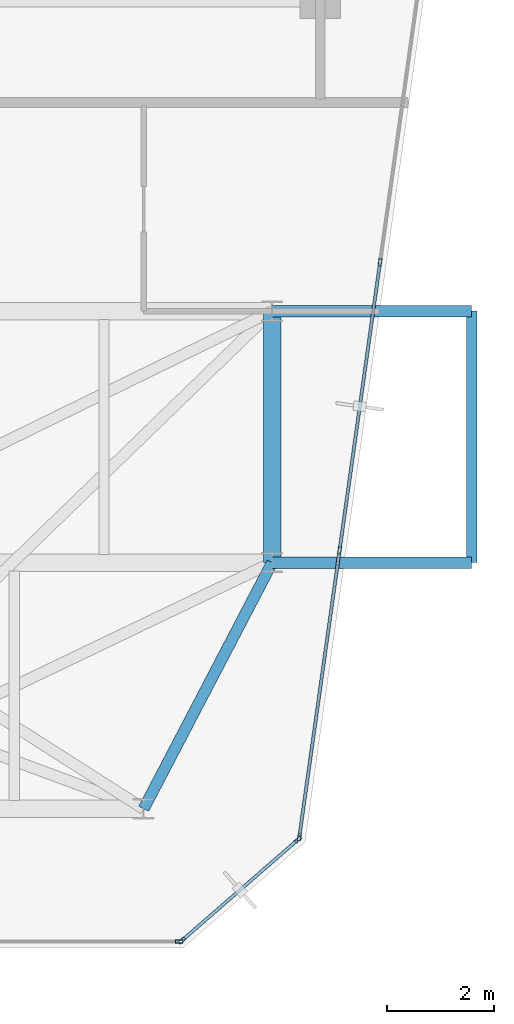
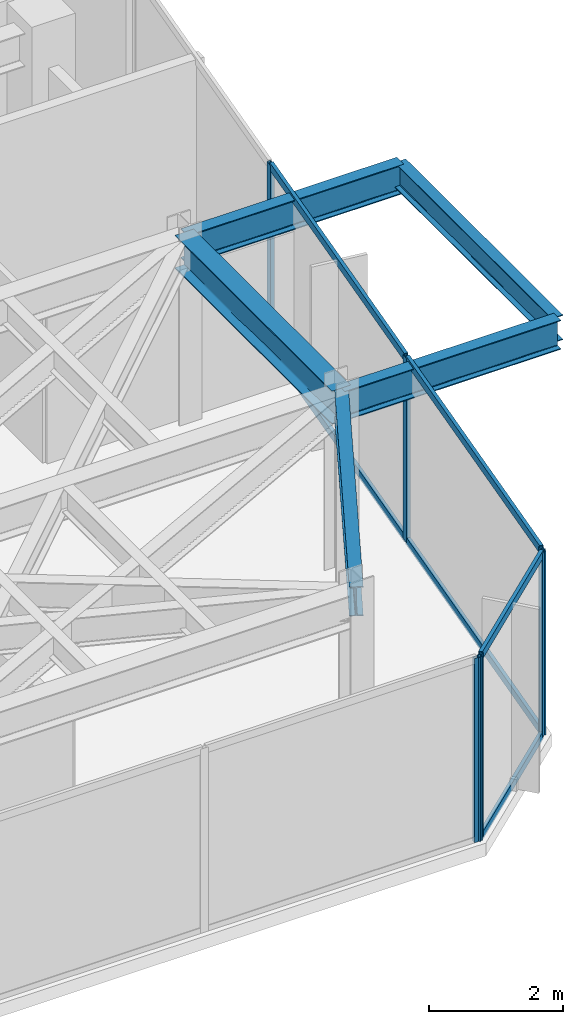
# One storey, part 10 of 16: 12 members, 5 beams, 3 elements without a shape of their own.
"""IFC4 building model written with IfcOpenShell, lengths in metres."""

from ifc_helpers import new_model, si_unit, direction, frame, origin, origin_2d, place, context, subcontext, project, spatial, hollow_rectangle, i_section, extrude, material, layer, layer_set, material_profile, profile_set, type_object, element, aggregate, save


model = new_model("IFC4")

# Units and contexts
model_context = context("Model", 3, precision=1e-05, world=origin(), true_north=direction((0.0, 1.0)))
body_context = subcontext(model_context, "Body", "Model", "MODEL_VIEW")
ifc_project = project(units=[si_unit("LENGTHUNIT", "METRE"), si_unit("AREAUNIT", "SQUARE_METRE"), si_unit("VOLUMEUNIT", "CUBIC_METRE"), si_unit("PLANEANGLEUNIT", "RADIAN"), si_unit("MASSUNIT", "GRAM", prefix="KILO")], contexts=[model_context])

# Site, building, storey
site_placement = place(None, origin())
site = spatial("IfcSite", under=ifc_project, at=site_placement, CompositionType="ELEMENT")
building_placement = place(site_placement, origin())
building = spatial("IfcBuilding", under=site, at=building_placement, Name="Kravanh Interchange Tower", CompositionType="ELEMENT")
storey_placement = place(building_placement, frame((0.0, 0.0, 296.699951171875)))
storey = spatial("IfcBuildingStorey", under=building, at=storey_placement, Name="L73", CompositionType="ELEMENT", Elevation=296.699951171875)

# Curtain wall, members
ifc_material_1 = material(Name="Anodised Bronze Aluminium", Category="aluminium")
ifc_layer = layer(ifc_material_1, 0.179931640625)
ifc_layer_set = layer_set([ifc_layer], Name="Unitised Curtain Wall System CW-HTL Luxury Hotel")
curtain_wall_type = type_object("IfcCurtainWallType", Name="Unitised Curtain Wall System CW-HTL Luxury Hotel", PredefinedType="NOTDEFINED", material=ifc_layer_set)
curtain_wall_1_placement = place(storey_placement, origin())
curtain_wall_1 = element("IfcCurtainWall", 1, at=curtain_wall_1_placement, inside=storey, type_object=curtain_wall_type, Name="L73 Unitised Curtain Wall CW-L73-01", PredefinedType="NOTDEFINED")
ifc_material_2 = material(Name="Anodised Bronze Aluminium", Category="aluminium")
ifc_material_profile_1 = material_profile(ifc_material_2, hollow_rectangle(XDim=0.06005859375, YDim=0.139892578125, WallThickness=0.00390625, at=origin_2d()), Name="ALU60X140X4")
ifc_profile_set_1 = profile_set([ifc_material_profile_1], Name="Anodised Bronze Aluminium")
member_type_1 = type_object("IfcMemberType", Name="Curtain Wall Mullion ALU60X140X4 Bronze", PredefinedType="MULLION", material=ifc_profile_set_1)
member_1_placement = place(storey_placement, frame((67.6181640625, 32.413818359375, 0.0), z_axis=(0.0, 0.0, 1.0), x_axis=(0.990267350999, -0.139178207869, 0.0)))
member_1 = element("IfcMember", 2, at=member_1_placement, type_object=member_type_1, Name="CW-HTL mullion 2", PredefinedType="MULLION", context=body_context, shape_type="SweptSolid", body=[
    extrude(hollow_rectangle(XDim=0.06005859375, YDim=0.139892578125, WallThickness=0.00390625, at=origin_2d()), origin(), (0.0, 0.0, 1.0), 3.364990234375),
])
member_2_placement = place(storey_placement, frame((66.861083984375, 27.02783203125, 0.0), z_axis=(0.0, 0.0, 1.0), x_axis=(0.990267350999, -0.139178207869, 0.0)))
member_2 = element("IfcMember", 3, at=member_2_placement, type_object=member_type_1, Name="CW-HTL mullion 3", PredefinedType="MULLION", context=body_context, shape_type="SweptSolid", body=[
    extrude(hollow_rectangle(XDim=0.06005859375, YDim=0.139892578125, WallThickness=0.00390625, at=origin_2d()), origin(), (0.0, 0.0, 1.0), 3.364990234375),
])
member_3_placement = place(storey_placement, frame((66.108154296875, 21.67138671875, 0.0), z_axis=(0.0, 0.0, 1.0), x_axis=(0.990267350999, -0.139178207869, 0.0)))
member_3 = element("IfcMember", 4, at=member_3_placement, type_object=member_type_1, Name="CW-HTL mullion 4", PredefinedType="MULLION", context=body_context, shape_type="SweptSolid", body=[
    extrude(hollow_rectangle(XDim=0.06005859375, YDim=0.139892578125, WallThickness=0.00390625, at=origin_2d()), origin(), (0.0, 0.0, 1.0), 3.364990234375),
])

curtain_wall_2_placement = place(storey_placement, origin())
curtain_wall_2 = element("IfcCurtainWall", 5, at=curtain_wall_2_placement, inside=storey, type_object=curtain_wall_type, Name="L73 Unitised Curtain Wall CW-L73-02", PredefinedType="NOTDEFINED")
member_4_placement = place(storey_placement, frame((66.08154296875, 21.621826171875, 0.0), z_axis=(0.0, 0.0, 1.0), x_axis=(0.656050227106, -0.754717231494, 0.0)))
member_4 = element("IfcMember", 6, at=member_4_placement, type_object=member_type_1, Name="CW-HTL mullion 1", PredefinedType="MULLION", context=body_context, shape_type="SweptSolid", body=[
    extrude(hollow_rectangle(XDim=0.06005859375, YDim=0.139892578125, WallThickness=0.00390625, at=origin_2d()), origin(), (0.0, 0.0, 1.0), 3.364990234375),
])
member_5_placement = place(storey_placement, frame((63.916259765625, 19.73974609375, 0.0), z_axis=(0.0, 0.0, 1.0), x_axis=(0.656050227106, -0.754717231494, 0.0)))
member_5 = element("IfcMember", 7, at=member_5_placement, type_object=member_type_1, Name="CW-HTL mullion 2", PredefinedType="MULLION", context=body_context, shape_type="SweptSolid", body=[
    extrude(hollow_rectangle(XDim=0.06005859375, YDim=0.139892578125, WallThickness=0.00390625, at=origin_2d()), origin(), (0.0, 0.0, 1.0), 3.364990234375),
])

# Curtain wall, member
curtain_wall_3_placement = place(storey_placement, origin())
curtain_wall_3 = element("IfcCurtainWall", 8, at=curtain_wall_3_placement, inside=storey, type_object=curtain_wall_type, Name="L73 Unitised Curtain Wall CW-L73-03", PredefinedType="NOTDEFINED")
member_6_placement = place(storey_placement, frame((63.863525390625, 19.719970703125, 0.0), z_axis=(0.0, 0.0, 1.0), x_axis=(0.0, -1.0, 0.0)))
member_6 = element("IfcMember", 9, at=member_6_placement, type_object=member_type_1, Name="CW-HTL mullion 1", PredefinedType="MULLION", context=body_context, shape_type="SweptSolid", body=[
    extrude(hollow_rectangle(XDim=0.06005859375, YDim=0.139892578125, WallThickness=0.00390625, at=origin_2d()), origin(), (0.0, 0.0, 1.0), 3.364990234375),
])
aggregate(curtain_wall_3, [member_6])

# Member
ifc_material_3 = material(Name="Anodised Bronze Aluminium", Category="aluminium")
ifc_material_profile_2 = material_profile(ifc_material_3, hollow_rectangle(XDim=0.06005859375, YDim=0.139892578125, WallThickness=0.00390625, at=origin_2d()), Name="ALU60X140X4")
ifc_profile_set_2 = profile_set([ifc_material_profile_2], Name="Anodised Bronze Aluminium")
member_type_2 = type_object("IfcMemberType", Name="Curtain Wall Transom ALU60X140X4 Bronze", PredefinedType="USERDEFINED", material=ifc_profile_set_2)
member_7_placement = place(storey_placement, frame((67.614013671875, 32.38427734375, 0.030029296875), z_axis=(-0.139197113326, -0.990264693727, 0.0), x_axis=(0.990264693727, -0.139197113326, 0.0)))
member_7 = element("IfcMember", 10, at=member_7_placement, type_object=member_type_2, Name="CW-HTL transom 2.1", ObjectType="TRANSOM", PredefinedType="USERDEFINED", context=body_context, shape_type="SweptSolid", body=[
    extrude(hollow_rectangle(XDim=0.06005859375, YDim=0.139892578125, WallThickness=0.00390625, at=origin_2d()), origin(), (0.0, 0.0, 1.0), 5.37939453125),
])

member_8_placement = place(storey_placement, frame((67.614013671875, 32.38427734375, 3.3349609375), z_axis=(-0.139197113326, -0.990264693727, 0.0), x_axis=(0.990264693727, -0.139197113326, 0.0)))
member_8 = element("IfcMember", 11, at=member_8_placement, type_object=member_type_2, Name="CW-HTL transom 2.2", ObjectType="TRANSOM", PredefinedType="USERDEFINED", context=body_context, shape_type="SweptSolid", body=[
    extrude(hollow_rectangle(XDim=0.06005859375, YDim=0.139892578125, WallThickness=0.00390625, at=origin_2d()), origin(), (0.0, 0.0, 1.0), 5.37939453125),
])

member_9_placement = place(storey_placement, frame((66.85693359375, 26.998046875, 0.030029296875), z_axis=(-0.13915902534, -0.990270046839, 0.0), x_axis=(0.990270046839, -0.13915902534, 0.0)))
member_9 = element("IfcMember", 12, at=member_9_placement, type_object=member_type_2, Name="CW-HTL transom 3.1", ObjectType="TRANSOM", PredefinedType="USERDEFINED", context=body_context, shape_type="SweptSolid", body=[
    extrude(hollow_rectangle(XDim=0.06005859375, YDim=0.139892578125, WallThickness=0.00390625, at=origin_2d()), origin(), (0.0, 0.0, 1.0), 5.34912109375),
])

member_10_placement = place(storey_placement, frame((66.85693359375, 26.998046875, 3.3349609375), z_axis=(-0.13915902534, -0.990270046839, 0.0), x_axis=(0.990270046839, -0.13915902534, 0.0)))
member_10 = element("IfcMember", 13, at=member_10_placement, type_object=member_type_2, Name="CW-HTL transom 3.2", ObjectType="TRANSOM", PredefinedType="USERDEFINED", context=body_context, shape_type="SweptSolid", body=[
    extrude(hollow_rectangle(XDim=0.06005859375, YDim=0.139892578125, WallThickness=0.00390625, at=origin_2d()), origin(), (0.0, 0.0, 1.0), 5.34912109375),
])

aggregate(curtain_wall_1, [member_1, member_2, member_3, member_7, member_8, member_9, member_10])

member_11_placement = place(storey_placement, frame((66.058837890625, 21.602294921875, 0.030029296875), z_axis=(-0.754704676026, -0.656064670581, 0.0), x_axis=(0.656064670581, -0.754704676026, 0.0)))
member_11 = element("IfcMember", 14, at=member_11_placement, type_object=member_type_2, Name="CW-HTL transom 1.1", ObjectType="TRANSOM", PredefinedType="USERDEFINED", context=body_context, shape_type="SweptSolid", body=[
    extrude(hollow_rectangle(XDim=0.06005859375, YDim=0.139892578125, WallThickness=0.00390625, at=origin_2d()), origin(), (0.0, 0.0, 1.0), 2.80908203125),
])

member_12_placement = place(storey_placement, frame((66.058837890625, 21.602294921875, 3.3349609375), z_axis=(-0.754704676026, -0.656064670581, 0.0), x_axis=(0.656064670581, -0.754704676026, 0.0)))
member_12 = element("IfcMember", 15, at=member_12_placement, type_object=member_type_2, Name="CW-HTL transom 1.2", ObjectType="TRANSOM", PredefinedType="USERDEFINED", context=body_context, shape_type="SweptSolid", body=[
    extrude(hollow_rectangle(XDim=0.06005859375, YDim=0.139892578125, WallThickness=0.00390625, at=origin_2d()), origin(), (0.0, 0.0, 1.0), 2.80908203125),
])

aggregate(curtain_wall_2, [member_4, member_5, member_11, member_12])

# Beams
ifc_material_4 = material(Name="Structural Steel S355", Category="steel")
ifc_material_profile_3 = material_profile(ifc_material_4, i_section(OverallWidth=0.323974609375, OverallDepth=0.611083984375, WebThickness=0.0126953125, FlangeThickness=0.01904296875, FilletRadius=0.02197265625, at=origin_2d()), Name="W24X104")
ifc_profile_set_3 = profile_set([ifc_material_profile_3], Name="Structural Steel S355")
beam_type_1 = type_object("IfcBeamType", Name="Floor Beam W24X104 Structural Steel S355", PredefinedType="BEAM", material=ifc_profile_set_3)
beam_1_placement = place(storey_placement, frame((65.60009765625, 31.5, 3.0595703125), z_axis=(0.0, -1.0, 0.0), x_axis=(1.0, 0.0, 0.0)))
element("IfcBeam", 16, at=beam_1_placement, inside=storey, type_object=beam_type_1, Name="L73 Primary Floor Girder 13", PredefinedType="BEAM", context=body_context, shape_type="SweptSolid", body=[
    extrude(i_section(OverallWidth=0.323974609375, OverallDepth=0.611083984375, WebThickness=0.0126953125, FlangeThickness=0.01904296875, FilletRadius=0.02197265625, at=origin_2d()), origin(), (0.0, 0.0, 1.0), 4.699951171875),
])
ifc_material_5 = material(Name="Structural Steel S355", Category="steel")
ifc_material_profile_4 = material_profile(ifc_material_5, i_section(OverallWidth=0.18994140625, OverallDepth=0.45703125, WebThickness=0.009033203125, FlangeThickness=0.014404296875, FilletRadius=0.01806640625, at=origin_2d()), Name="W18X50")
ifc_profile_set_4 = profile_set([ifc_material_profile_4], Name="Structural Steel S355")
beam_type_2 = type_object("IfcBeamType", Name="Floor Joist W18X50 Structural Steel S355", PredefinedType="JOIST", material=ifc_profile_set_4)
beam_2_placement = place(storey_placement, frame((69.330078125, 26.800048828125, 3.136474609375), z_axis=(0.0, 1.0, 0.0), x_axis=(-1.0, 0.0, 0.0)))
element("IfcBeam", 17, at=beam_2_placement, inside=storey, type_object=beam_type_2, Name="L73 Balcony Edge Tie Beam E", PredefinedType="JOIST", context=body_context, shape_type="SweptSolid", body=[
    extrude(i_section(OverallWidth=0.18994140625, OverallDepth=0.45703125, WebThickness=0.009033203125, FlangeThickness=0.014404296875, FilletRadius=0.01806640625, at=origin_2d()), origin(), (0.0, 0.0, 1.0), 4.699951171875),
])
ifc_material_6 = material(Name="Structural Steel S355", Category="steel")
ifc_material_profile_5 = material_profile(ifc_material_6, i_section(OverallWidth=0.2099609375, OverallDepth=0.537109375, WebThickness=0.010986328125, FlangeThickness=0.017333984375, FilletRadius=0.02001953125, at=origin_2d()), Name="W21X68")
ifc_profile_set_5 = profile_set([ifc_material_profile_5], Name="Structural Steel S355")
beam_type_3 = type_object("IfcBeamType", Name="Floor Spandrel W21X68 Structural Steel S355", PredefinedType="SPANDREL", material=ifc_profile_set_5)
beam_3_placement = place(storey_placement, frame((65.60009765625, 26.800048828125, 3.096435546875), z_axis=(-0.462580479178, -0.886577295155, 0.0), x_axis=(0.886577295155, -0.462580479178, 0.0)))
element("IfcBeam", 18, at=beam_3_placement, inside=storey, type_object=beam_type_3, Name="L73 Perimeter Spandrel 25", PredefinedType="SPANDREL", context=body_context, shape_type="SweptSolid", body=[
    extrude(i_section(OverallWidth=0.2099609375, OverallDepth=0.537109375, WebThickness=0.010986328125, FlangeThickness=0.017333984375, FilletRadius=0.02001953125, at=origin_2d()), origin(), (0.0, 0.0, 1.0), 5.188720703125),
])
for number, where, z_axis, x_axis, name in (
    (19, (65.60009765625, 26.800048828125, 3.096435546875), (1.0, 0.0, 0.0), (0.0, 1.0, 0.0), "L73 Balcony Cantilever Outrigger E1"),
    (20, (65.60009765625, 31.5, 3.096435546875), (1.0, 0.0, 0.0), (0.0, 1.0, 0.0), "L73 Balcony Cantilever Outrigger E2"),
):
    element("IfcBeam", number, at=place(storey_placement, frame(where, z_axis=z_axis, x_axis=x_axis)), inside=storey, type_object=beam_type_3, Name=name, PredefinedType="SPANDREL", context=body_context, shape_type="SweptSolid", body=[
        extrude(i_section(OverallWidth=0.2099609375, OverallDepth=0.537109375, WebThickness=0.010986328125, FlangeThickness=0.017333984375, FilletRadius=0.02001953125, at=origin_2d()), origin(), (0.0, 0.0, 1.0), 3.72998046875),
    ])

save(model, "model.ifc")
